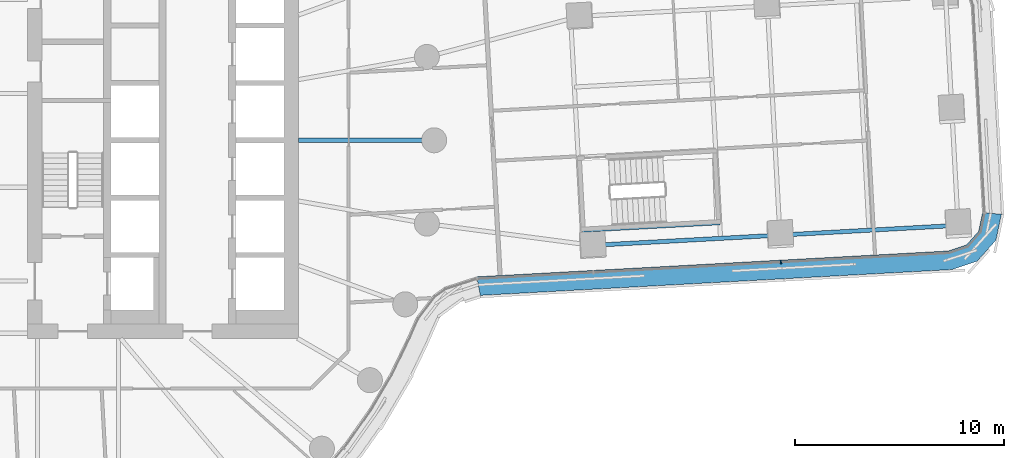
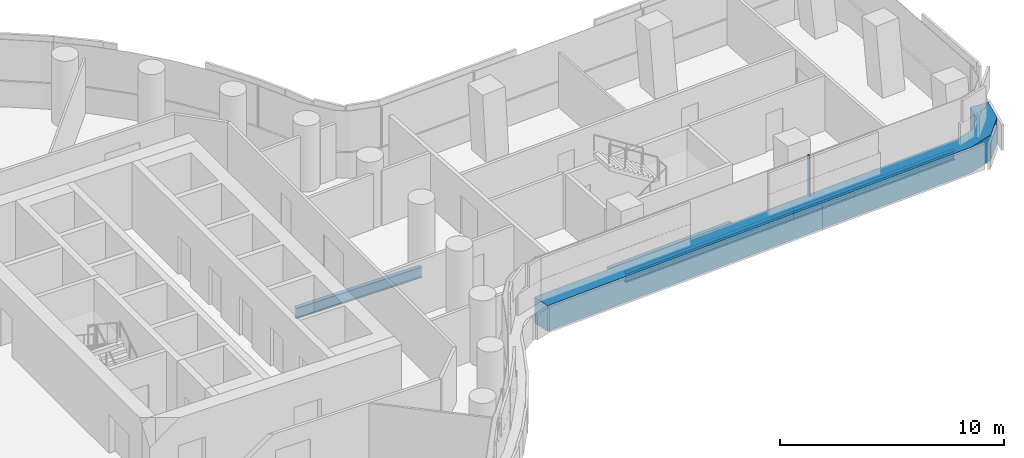
# One storey, part 10 of 31: 4 beams, 2 members, 1 element without a shape of its own.
"""IFC4 building model written with IfcOpenShell, lengths in metres."""

import ifcopenshell
import ifcopenshell.guid

model = None  # the IFC model being written
_history = None  # IfcOwnerHistory: only IFC2X3 demands one
_inside = {}  # id of a spatial element -> (the spatial element, [elements in it])
_under = {}  # id of a project, library or spatial element -> (it, [spatial elements below it])
_declared = {}  # id of a project -> (the project, [libraries it declares])
_typed = {}  # id of a type object -> (the type object, [elements of that type])
_made_of = {}  # id of a material, layer set ... -> (it, [elements and type objects made of it])


def new_model(schema):
    """Start an empty IFC model of exactly this schema.

    Asked for "IFC4X3", IfcOpenShell would pick the latest addendum, in which some entities
    have other attributes; the version numbers below select the first issue.
    IFC2X3 requires an IfcOwnerHistory on every rooted entity: one is made here for all.
    """
    global model, _history
    if schema == "IFC4X3":
        model = ifcopenshell.file(schema_version=(4, 3, 0, 0))
    else:
        model = ifcopenshell.file(schema=schema)
    _inside.clear()
    _under.clear()
    _declared.clear()
    _typed.clear()
    _made_of.clear()
    _history = None
    if model.schema == "IFC2X3":
        org = make("IfcOrganization", Name="unknown")
        user = make(
            "IfcPersonAndOrganization",
            ThePerson=make("IfcPerson", FamilyName="unknown"),
            TheOrganization=org,
        )
        app = make(
            "IfcApplication",
            ApplicationDeveloper=org,
            Version="unknown",
            ApplicationFullName="unknown",
            ApplicationIdentifier="unknown",
        )
        _history = make(
            "IfcOwnerHistory",
            OwningUser=user,
            OwningApplication=app,
            ChangeAction="ADDED",
            CreationDate=0,
        )
    return model


def make(cls, **values):
    """One entity of the class cls with the attributes given. An attribute that is None is left unset."""
    return model.create_entity(
        cls, **{name: value for name, value in values.items() if value is not None}
    )


def rooted(cls, **values):
    """An entity with a GlobalId (a new one), such as an element, a storey or a relation."""
    return make(cls, GlobalId=ifcopenshell.guid.new(), OwnerHistory=_history, **values)


def si_unit(unit_type, name, prefix=None):
    """IfcSIUnit, for example si_unit("LENGTHUNIT", "METRE", prefix="MILLI")."""
    return make("IfcSIUnit", UnitType=unit_type, Prefix=prefix, Name=name)


def assignment(units):
    """IfcUnitAssignment: the units of a project."""
    return None if units is None else make("IfcUnitAssignment", Units=units)


def point(xyz):
    """IfcCartesianPoint."""
    return None if xyz is None else make("IfcCartesianPoint", Coordinates=xyz)


def direction(xyz):
    """IfcDirection."""
    return None if xyz is None else make("IfcDirection", DirectionRatios=xyz)


def frame(location, z_axis=None, x_axis=None):
    """IfcAxis2Placement3D, a coordinate frame: its origin and axes. An axis left out is left unset."""
    return make(
        "IfcAxis2Placement3D",
        Location=point(location),
        Axis=direction(z_axis),
        RefDirection=direction(x_axis),
    )


def frame_2d(location, x_axis=None):
    """IfcAxis2Placement2D, a coordinate frame in the plane: its origin and x axis."""
    return make(
        "IfcAxis2Placement2D", Location=point(location), RefDirection=direction(x_axis)
    )


def origin():
    """The frame at (0, 0, 0) with its axes left unset."""
    return frame((0.0, 0.0, 0.0))


def origin_2d():
    """The frame at (0, 0) in the plane with its x axis left unset."""
    return frame_2d((0.0, 0.0))


def place(relative_to, where):
    """IfcLocalPlacement: puts the frame where relative to a parent placement (None: the world)."""
    return make(
        "IfcLocalPlacement", PlacementRelTo=relative_to, RelativePlacement=where
    )


def context(
    kind, dimensions, precision=None, world=None, true_north=None, identifier=None
):
    """IfcGeometricRepresentationContext, for example the 3D "Model" context."""
    return make(
        "IfcGeometricRepresentationContext",
        ContextIdentifier=identifier,
        ContextType=kind,
        CoordinateSpaceDimension=dimensions,
        Precision=precision,
        WorldCoordinateSystem=world,
        TrueNorth=true_north,
    )


def subcontext(parent, identifier, kind, view, scale=None):
    """IfcGeometricRepresentationSubContext, for example "Body" below "Model"."""
    return make(
        "IfcGeometricRepresentationSubContext",
        ContextIdentifier=identifier,
        ContextType=kind,
        ParentContext=parent,
        TargetScale=scale,
        TargetView=view,
    )


def project(units=None, contexts=None):
    """IfcProject with its units and contexts."""
    return rooted(
        "IfcProject",
        Name="project",
        RepresentationContexts=contexts,
        UnitsInContext=assignment(units),
    )


def spatial(cls, under=None, at=None, **own):
    """A site, building, storey or space (cls), placed at a placement, below another one or the project."""
    s = rooted(cls, ObjectPlacement=at, **own)
    if under is not None:
        _under.setdefault(under.id(), (under, []))[1].append(s)
    return s


def polyline(points):
    """IfcPolyline through the points."""
    return make("IfcPolyline", Points=[point(p) for p in points])


def profile(cls, at=None, kind="AREA", **sizes):
    """A parametric profile (cls). Its sizes go by their IFC names, for example OverallWidth=200.0."""
    return make(cls, ProfileType=kind, Position=at, **sizes)


def rectangle(**sizes):
    """IfcRectangleProfileDef."""
    return profile("IfcRectangleProfileDef", **sizes)


def i_section(**sizes):
    """IfcIShapeProfileDef."""
    return profile("IfcIShapeProfileDef", **sizes)


def outline(outer, holes=None, kind="AREA"):
    """IfcArbitraryClosedProfileDef: a profile drawn as a closed curve; with holes, ...WithVoids."""
    if holes is None:
        return make("IfcArbitraryClosedProfileDef", ProfileType=kind, OuterCurve=outer)
    return make(
        "IfcArbitraryProfileDefWithVoids",
        ProfileType=kind,
        OuterCurve=outer,
        InnerCurves=holes,
    )


def extrude(swept, where, along, depth):
    """IfcExtrudedAreaSolid: the profile swept, set in the frame where, extruded along a direction by depth."""
    return make(
        "IfcExtrudedAreaSolid",
        SweptArea=swept,
        Position=where,
        ExtrudedDirection=direction(along),
        Depth=depth,
    )


def shape(context_of_items, identifier, shape_type, items):
    """IfcShapeRepresentation: the items that make up one representation, for example the "Body"."""
    return make(
        "IfcShapeRepresentation",
        ContextOfItems=context_of_items,
        RepresentationIdentifier=identifier,
        RepresentationType=shape_type,
        Items=items,
    )


def material(Name=None, Category=None):
    """IfcMaterial."""
    return make("IfcMaterial", Name=Name, Category=Category)


def layer(
    of_material, thickness, ventilated=None, Name=None, Category=None, Priority=None
):
    """IfcMaterialLayer: one layer of a wall or slab, of a material (None: an air gap)."""
    return make(
        "IfcMaterialLayer",
        Material=of_material,
        LayerThickness=thickness,
        IsVentilated=ventilated,
        Name=Name,
        Category=Category,
        Priority=Priority,
    )


def layer_set(layers, Name=None):
    """IfcMaterialLayerSet."""
    return make("IfcMaterialLayerSet", MaterialLayers=layers, LayerSetName=Name)


def material_profile(
    of_material, cross_section, Name=None, Category=None, Priority=None
):
    """IfcMaterialProfile: a cross section and its material."""
    return make(
        "IfcMaterialProfile",
        Name=Name,
        Material=of_material,
        Profile=cross_section,
        Priority=Priority,
        Category=Category,
    )


def profile_set(profiles, Name=None, composite=None):
    """IfcMaterialProfileSet."""
    return make(
        "IfcMaterialProfileSet",
        Name=Name,
        MaterialProfiles=profiles,
        CompositeProfile=composite,
    )


def made_of(thing, what):
    """Note that an element or type object is made of a material, layer set ...; save() writes the relation."""
    if what is not None:
        _made_of.setdefault(what.id(), (what, []))[1].append(thing)
    return thing


def type_object(cls, material=None, **own):
    """A type object (cls), such as IfcWallType, which elements share."""
    return made_of(rooted(cls, **own), material)


def element(
    cls,
    number,
    at=None,
    inside=None,
    cuts=None,
    type_object=None,
    material=None,
    context=None,
    identifier="Body",
    shape_type=None,
    held_by="IfcProductDefinitionShape",
    body=None,
    shapes=None,
    **own,
):
    """One element of the class cls, such as IfcWall. Its Tag is "e" and its number.

    at: its placement. inside: the storey or other place that contains it. cuts: it is an
    opening in that element (IfcRelVoidsElement). A single representation is given by context,
    identifier, shape_type and body (its items); several are given by shapes. held_by: the class
    of the entity that holds the representations. save() writes the other relations.
    """
    e = rooted(cls, Tag="e%d" % number, ObjectPlacement=at, **own)
    if body is not None:
        shapes = [shape(context, identifier, shape_type, body)]
    if shapes is not None:
        e.Representation = make(held_by, Representations=shapes)
    if inside is not None:
        _inside.setdefault(inside.id(), (inside, []))[1].append(e)
    if cuts is not None:
        rooted(
            "IfcRelVoidsElement", RelatingBuildingElement=cuts, RelatedOpeningElement=e
        )
    if type_object is not None:
        _typed.setdefault(type_object.id(), (type_object, []))[1].append(e)
    return made_of(e, material)


def aggregate(whole, parts):
    """IfcRelAggregates: a whole, such as a stair, and the parts it consists of."""
    return rooted("IfcRelAggregates", RelatingObject=whole, RelatedObjects=parts)


def save(model, path):
    """Write the relations noted so far, then the file.

    IfcRelAggregates (storeys below a building ...), IfcRelContainedInSpatialStructure (elements
    in a storey), IfcRelDefinesByType, IfcRelAssociatesMaterial and IfcRelDeclares: one each for
    every whole, place, type object, material and project.
    """
    for whole, parts in _under.values():
        aggregate(whole, parts)
    for where, things in _inside.values():
        rooted(
            "IfcRelContainedInSpatialStructure",
            RelatedElements=things,
            RelatingStructure=where,
        )
    for kind, things in _typed.values():
        rooted("IfcRelDefinesByType", RelatedObjects=things, RelatingType=kind)
    for what, things in _made_of.values():
        rooted("IfcRelAssociatesMaterial", RelatedObjects=things, RelatingMaterial=what)
    for by, libraries in _declared.values():
        rooted("IfcRelDeclares", RelatingContext=by, RelatedDefinitions=libraries)
    model.write(path)


model = new_model("IFC4")

# Units and contexts
model_context = context("Model", 3, precision=1e-05, world=origin(), true_north=direction((0.0, 1.0)))
body_context = subcontext(model_context, "Body", "Model", "MODEL_VIEW")
ifc_project = project(units=[si_unit("LENGTHUNIT", "METRE"), si_unit("AREAUNIT", "SQUARE_METRE"), si_unit("VOLUMEUNIT", "CUBIC_METRE"), si_unit("PLANEANGLEUNIT", "RADIAN"), si_unit("MASSUNIT", "GRAM", prefix="KILO")], contexts=[model_context])

# Site, building, storey
site_placement = place(None, origin())
site = spatial("IfcSite", under=ifc_project, at=site_placement, CompositionType="ELEMENT")
building_placement = place(site_placement, origin())
building = spatial("IfcBuilding", under=site, at=building_placement, Name="Tamarind Cross Interchange Tower", CompositionType="ELEMENT")
storey_placement = place(building_placement, frame((0.0, 0.0, 45.25)))
storey = spatial("IfcBuildingStorey", under=building, at=storey_placement, Name="L09", CompositionType="ELEMENT", Elevation=45.25)

# Beams
ifc_material_1 = material(Name="Steel Q355B", Category="steel")
ifc_material_profile_1 = material_profile(ifc_material_1, i_section(OverallWidth=0.198974609375, OverallDepth=0.49609375, WebThickness=0.009033203125, FlangeThickness=0.013916015625, FilletRadius=0.012939453125, at=origin_2d()), Name="HN 496x199x9x14")
ifc_profile_set_1 = profile_set([ifc_material_profile_1], Name="Steel Q355B")
beam_type_1 = type_object("IfcBeamType", Name="Composite beam HN 496x199x9x14 Q355B", PredefinedType="BEAM", material=ifc_profile_set_1)
beam_1_placement = place(storey_placement, frame((48.117431640625, -4.078125, -0.387939453125), z_axis=(-0.998504116415, -0.054676590084, 0.0), x_axis=(0.054676590084, -0.998504116415, 0.0)))
element("IfcBeam", 1, at=beam_1_placement, inside=storey, type_object=beam_type_1, Name="Beam E-edgeem5", PredefinedType="BEAM", context=body_context, shape_type="SweptSolid", body=[
    extrude(i_section(OverallWidth=0.198974609375, OverallDepth=0.49609375, WebThickness=0.009033203125, FlangeThickness=0.013916015625, FilletRadius=0.012939453125, at=origin_2d()), origin(), (0.0, 0.0, 1.0), 8.55517578125),
])
beam_2_placement = place(storey_placement, frame((39.574951171875, -4.5458984375, -0.387939453125), z_axis=(-0.99850501333, -0.054660208152, 0.0), x_axis=(0.054660208152, -0.99850501333, 0.0)))
element("IfcBeam", 2, at=beam_2_placement, inside=storey, type_object=beam_type_1, Name="Beam E-edgeem6", PredefinedType="BEAM", context=body_context, shape_type="SweptSolid", body=[
    extrude(i_section(OverallWidth=0.198974609375, OverallDepth=0.49609375, WebThickness=0.009033203125, FlangeThickness=0.013916015625, FilletRadius=0.012939453125, at=origin_2d()), origin(), (0.0, 0.0, 1.0), 9.0),
])
beam_3_placement = place(storey_placement, frame((30.097900390625, -4.313720703125, -0.387939453125), z_axis=(0.9985043108, 0.054673040098, 0.0), x_axis=(-0.054673040098, 0.9985043108, 0.0)))
element("IfcBeam", 3, at=beam_3_placement, inside=storey, type_object=beam_type_1, Name="Beam E-tr0", PredefinedType="BEAM", context=body_context, shape_type="SweptSolid", body=[
    extrude(i_section(OverallWidth=0.198974609375, OverallDepth=0.49609375, WebThickness=0.009033203125, FlangeThickness=0.013916015625, FilletRadius=0.012939453125, at=origin_2d()), origin(), (0.0, 0.0, 1.0), 6.599853515625),
])
ifc_material_profile_2 = material_profile(ifc_material_1, i_section(OverallWidth=0.198974609375, OverallDepth=0.595947265625, WebThickness=0.010009765625, FlangeThickness=0.014892578125, FilletRadius=0.012939453125, at=origin_2d()), Name="HN 596x199x10x15")
ifc_profile_set_2 = profile_set([ifc_material_profile_2], Name="Steel Q355B")
beam_type_2 = type_object("IfcBeamType", Name="Composite beam HN 596x199x10x15 Q355B", PredefinedType="BEAM", material=ifc_profile_set_2)
beam_4_placement = place(storey_placement, frame((23.0, 0.0, -0.43798828125), z_axis=(-1.0, 0.0, 0.0), x_axis=(0.0, -1.0, 0.0)))
element("IfcBeam", 4, at=beam_4_placement, inside=storey, type_object=beam_type_2, Name="Beam HH00", PredefinedType="BEAM", context=body_context, shape_type="SweptSolid", body=[
    extrude(i_section(OverallWidth=0.198974609375, OverallDepth=0.595947265625, WebThickness=0.010009765625, FlangeThickness=0.014892578125, FilletRadius=0.012939453125, at=origin_2d()), origin(), (0.0, 0.0, 1.0), 6.5),
])

# Curtain wall, members
ifc_material_2 = material(Name="Aluminium 6063-T6", Category="aluminium")
ifc_layer = layer(ifc_material_2, 0.159912109375)
ifc_layer_set = layer_set([ifc_layer], Name="Aluminium 6063-T6")
curtain_wall_type = type_object("IfcCurtainWallType", Name="Office curtain wall, 9.0 m bays", PredefinedType="NOTDEFINED", material=ifc_layer_set)
curtain_wall_placement = place(storey_placement, origin())
curtain_wall = element("IfcCurtainWall", 5, at=curtain_wall_placement, inside=storey, type_object=curtain_wall_type, Name="CWS-L09-07", PredefinedType="NOTDEFINED")
ifc_material_3 = material(Name="Aluminium and insulated spandrel panel", Category="aluminium")
member_type_1 = type_object("IfcMemberType", Name="Floor-edge blade transom", PredefinedType="USERDEFINED", material=ifc_material_3)
member_1_placement = place(storey_placement, origin())
member_1 = element("IfcMember", 6, at=member_1_placement, type_object=member_type_1, Name="CWT-L09-07", ObjectType="TRANSOM", PredefinedType="USERDEFINED", context=body_context, shape_type="SweptSolid", body=[
    extrude(outline(polyline([(25.04296875, -6.54345703125), (47.64453125, -5.3056640625), (48.514404296875, -5.020751953125), (49.097900390625, -4.36962890625), (49.2861328125, -3.4736328125), (50.19140625, -3.542724609375), (49.92919921875, -4.79052734375), (49.023681640625, -5.801025390625), (47.81201171875, -6.197998046875), (25.20947265625, -7.435546875), (25.04296875, -6.54345703125)])), origin(), (0.0, 0.0, 1.0), 1.39990234375),
])
ifc_material_profile_3 = material_profile(ifc_material_2, rectangle(XDim=0.06005859375, YDim=0.159912109375, at=origin_2d()), Name="Mullion CW1")
ifc_profile_set_3 = profile_set([ifc_material_profile_3], Name="Aluminium 6063-T6")
member_type_2 = type_object("IfcMemberType", Name="Mullion CW1", PredefinedType="MULLION", material=ifc_profile_set_3)
member_2_placement = place(storey_placement, frame((39.61962890625, -5.84521484375, 1.39990234375), z_axis=(0.0, 0.0, 1.0), x_axis=(0.998504021801, 0.054678317891, 0.0)))
member_2 = element("IfcMember", 7, at=member_2_placement, type_object=member_type_2, Name="CWM-L09-07-02", PredefinedType="MULLION", context=body_context, shape_type="SweptSolid", body=[
    extrude(rectangle(XDim=0.06005859375, YDim=0.159912109375, at=origin_2d()), origin(), (0.0, 0.0, 1.0), 2.210205078125),
])
aggregate(curtain_wall, [member_2, member_1])

save(model, "model.ifc")
